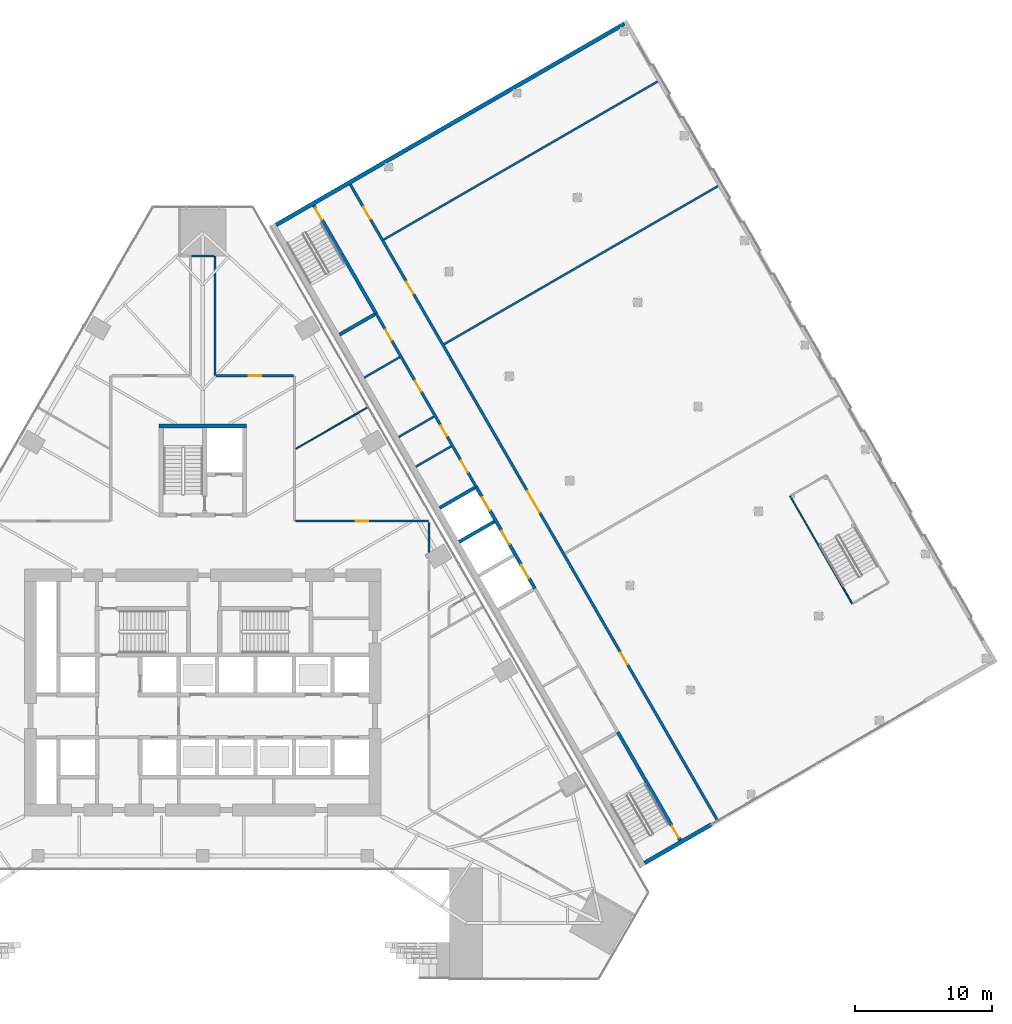
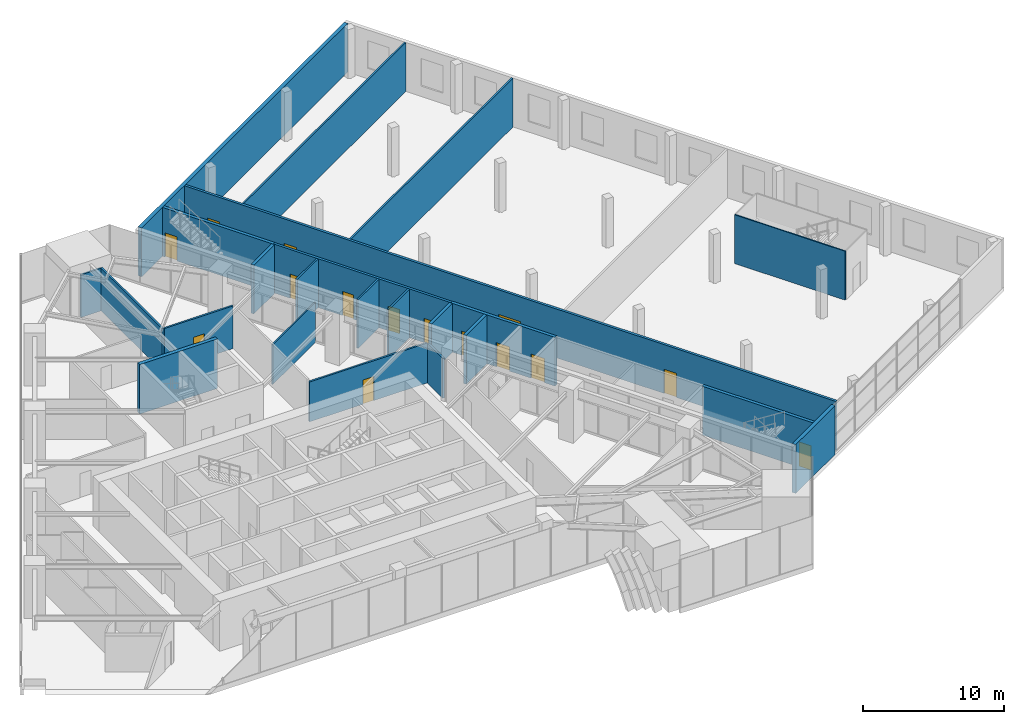
# One storey, part 20 of 29: 23 walls, 15 doors, 15 openings.
"""IFC4 building model written with IfcOpenShell, lengths in metres."""

import ifcopenshell
import ifcopenshell.guid

model = None  # the IFC model being written
_history = None  # IfcOwnerHistory: only IFC2X3 demands one
_inside = {}  # id of a spatial element -> (the spatial element, [elements in it])
_under = {}  # id of a project, library or spatial element -> (it, [spatial elements below it])
_declared = {}  # id of a project -> (the project, [libraries it declares])
_typed = {}  # id of a type object -> (the type object, [elements of that type])
_made_of = {}  # id of a material, layer set ... -> (it, [elements and type objects made of it])


def new_model(schema):
    """Start an empty IFC model of exactly this schema.

    Asked for "IFC4X3", IfcOpenShell would pick the latest addendum, in which some entities
    have other attributes; the version numbers below select the first issue.
    IFC2X3 requires an IfcOwnerHistory on every rooted entity: one is made here for all.
    """
    global model, _history
    if schema == "IFC4X3":
        model = ifcopenshell.file(schema_version=(4, 3, 0, 0))
    else:
        model = ifcopenshell.file(schema=schema)
    _inside.clear()
    _under.clear()
    _declared.clear()
    _typed.clear()
    _made_of.clear()
    _history = None
    if model.schema == "IFC2X3":
        org = make("IfcOrganization", Name="unknown")
        user = make(
            "IfcPersonAndOrganization",
            ThePerson=make("IfcPerson", FamilyName="unknown"),
            TheOrganization=org,
        )
        app = make(
            "IfcApplication",
            ApplicationDeveloper=org,
            Version="unknown",
            ApplicationFullName="unknown",
            ApplicationIdentifier="unknown",
        )
        _history = make(
            "IfcOwnerHistory",
            OwningUser=user,
            OwningApplication=app,
            ChangeAction="ADDED",
            CreationDate=0,
        )
    return model


def make(cls, **values):
    """One entity of the class cls with the attributes given. An attribute that is None is left unset."""
    return model.create_entity(
        cls, **{name: value for name, value in values.items() if value is not None}
    )


def rooted(cls, **values):
    """An entity with a GlobalId (a new one), such as an element, a storey or a relation."""
    return make(cls, GlobalId=ifcopenshell.guid.new(), OwnerHistory=_history, **values)


def si_unit(unit_type, name, prefix=None):
    """IfcSIUnit, for example si_unit("LENGTHUNIT", "METRE", prefix="MILLI")."""
    return make("IfcSIUnit", UnitType=unit_type, Prefix=prefix, Name=name)


def assignment(units):
    """IfcUnitAssignment: the units of a project."""
    return None if units is None else make("IfcUnitAssignment", Units=units)


def point(xyz):
    """IfcCartesianPoint."""
    return None if xyz is None else make("IfcCartesianPoint", Coordinates=xyz)


def direction(xyz):
    """IfcDirection."""
    return None if xyz is None else make("IfcDirection", DirectionRatios=xyz)


def frame(location, z_axis=None, x_axis=None):
    """IfcAxis2Placement3D, a coordinate frame: its origin and axes. An axis left out is left unset."""
    return make(
        "IfcAxis2Placement3D",
        Location=point(location),
        Axis=direction(z_axis),
        RefDirection=direction(x_axis),
    )


def frame_2d(location, x_axis=None):
    """IfcAxis2Placement2D, a coordinate frame in the plane: its origin and x axis."""
    return make(
        "IfcAxis2Placement2D", Location=point(location), RefDirection=direction(x_axis)
    )


def origin():
    """The frame at (0, 0, 0) with its axes left unset."""
    return frame((0.0, 0.0, 0.0))


def place(relative_to, where):
    """IfcLocalPlacement: puts the frame where relative to a parent placement (None: the world)."""
    return make(
        "IfcLocalPlacement", PlacementRelTo=relative_to, RelativePlacement=where
    )


def context(
    kind, dimensions, precision=None, world=None, true_north=None, identifier=None
):
    """IfcGeometricRepresentationContext, for example the 3D "Model" context."""
    return make(
        "IfcGeometricRepresentationContext",
        ContextIdentifier=identifier,
        ContextType=kind,
        CoordinateSpaceDimension=dimensions,
        Precision=precision,
        WorldCoordinateSystem=world,
        TrueNorth=true_north,
    )


def subcontext(parent, identifier, kind, view, scale=None):
    """IfcGeometricRepresentationSubContext, for example "Body" below "Model"."""
    return make(
        "IfcGeometricRepresentationSubContext",
        ContextIdentifier=identifier,
        ContextType=kind,
        ParentContext=parent,
        TargetScale=scale,
        TargetView=view,
    )


def project(units=None, contexts=None):
    """IfcProject with its units and contexts."""
    return rooted(
        "IfcProject",
        Name="project",
        RepresentationContexts=contexts,
        UnitsInContext=assignment(units),
    )


def spatial(cls, under=None, at=None, **own):
    """A site, building, storey or space (cls), placed at a placement, below another one or the project."""
    s = rooted(cls, ObjectPlacement=at, **own)
    if under is not None:
        _under.setdefault(under.id(), (under, []))[1].append(s)
    return s


def profile(cls, at=None, kind="AREA", **sizes):
    """A parametric profile (cls). Its sizes go by their IFC names, for example OverallWidth=200.0."""
    return make(cls, ProfileType=kind, Position=at, **sizes)


def rectangle(**sizes):
    """IfcRectangleProfileDef."""
    return profile("IfcRectangleProfileDef", **sizes)


def extrude(swept, where, along, depth):
    """IfcExtrudedAreaSolid: the profile swept, set in the frame where, extruded along a direction by depth."""
    return make(
        "IfcExtrudedAreaSolid",
        SweptArea=swept,
        Position=where,
        ExtrudedDirection=direction(along),
        Depth=depth,
    )


def shape(context_of_items, identifier, shape_type, items):
    """IfcShapeRepresentation: the items that make up one representation, for example the "Body"."""
    return make(
        "IfcShapeRepresentation",
        ContextOfItems=context_of_items,
        RepresentationIdentifier=identifier,
        RepresentationType=shape_type,
        Items=items,
    )


def material(Name=None, Category=None):
    """IfcMaterial."""
    return make("IfcMaterial", Name=Name, Category=Category)


def layer(
    of_material, thickness, ventilated=None, Name=None, Category=None, Priority=None
):
    """IfcMaterialLayer: one layer of a wall or slab, of a material (None: an air gap)."""
    return make(
        "IfcMaterialLayer",
        Material=of_material,
        LayerThickness=thickness,
        IsVentilated=ventilated,
        Name=Name,
        Category=Category,
        Priority=Priority,
    )


def layer_set(layers, Name=None):
    """IfcMaterialLayerSet."""
    return make("IfcMaterialLayerSet", MaterialLayers=layers, LayerSetName=Name)


def made_of(thing, what):
    """Note that an element or type object is made of a material, layer set ...; save() writes the relation."""
    if what is not None:
        _made_of.setdefault(what.id(), (what, []))[1].append(thing)
    return thing


def type_object(cls, material=None, **own):
    """A type object (cls), such as IfcWallType, which elements share."""
    return made_of(rooted(cls, **own), material)


def element(
    cls,
    number,
    at=None,
    inside=None,
    cuts=None,
    type_object=None,
    material=None,
    context=None,
    identifier="Body",
    shape_type=None,
    held_by="IfcProductDefinitionShape",
    body=None,
    shapes=None,
    **own,
):
    """One element of the class cls, such as IfcWall. Its Tag is "e" and its number.

    at: its placement. inside: the storey or other place that contains it. cuts: it is an
    opening in that element (IfcRelVoidsElement). A single representation is given by context,
    identifier, shape_type and body (its items); several are given by shapes. held_by: the class
    of the entity that holds the representations. save() writes the other relations.
    """
    e = rooted(cls, Tag="e%d" % number, ObjectPlacement=at, **own)
    if body is not None:
        shapes = [shape(context, identifier, shape_type, body)]
    if shapes is not None:
        e.Representation = make(held_by, Representations=shapes)
    if inside is not None:
        _inside.setdefault(inside.id(), (inside, []))[1].append(e)
    if cuts is not None:
        rooted(
            "IfcRelVoidsElement", RelatingBuildingElement=cuts, RelatedOpeningElement=e
        )
    if type_object is not None:
        _typed.setdefault(type_object.id(), (type_object, []))[1].append(e)
    return made_of(e, material)


def fill(opening, filler):
    """IfcRelFillsElement: the door or window that sits in an opening."""
    return rooted(
        "IfcRelFillsElement",
        RelatingOpeningElement=opening,
        RelatedBuildingElement=filler,
    )


def aggregate(whole, parts):
    """IfcRelAggregates: a whole, such as a stair, and the parts it consists of."""
    return rooted("IfcRelAggregates", RelatingObject=whole, RelatedObjects=parts)


def save(model, path):
    """Write the relations noted so far, then the file.

    IfcRelAggregates (storeys below a building ...), IfcRelContainedInSpatialStructure (elements
    in a storey), IfcRelDefinesByType, IfcRelAssociatesMaterial and IfcRelDeclares: one each for
    every whole, place, type object, material and project.
    """
    for whole, parts in _under.values():
        aggregate(whole, parts)
    for where, things in _inside.values():
        rooted(
            "IfcRelContainedInSpatialStructure",
            RelatedElements=things,
            RelatingStructure=where,
        )
    for kind, things in _typed.values():
        rooted("IfcRelDefinesByType", RelatedObjects=things, RelatingType=kind)
    for what, things in _made_of.values():
        rooted("IfcRelAssociatesMaterial", RelatedObjects=things, RelatingMaterial=what)
    for by, libraries in _declared.values():
        rooted("IfcRelDeclares", RelatingContext=by, RelatedDefinitions=libraries)
    model.write(path)


model = new_model("IFC4")

# Units and contexts
model_context = context("Model", 3, precision=1e-05, world=origin(), true_north=direction((0.0, 1.0)))
body_context = subcontext(model_context, "Body", "Model", "MODEL_VIEW")
ifc_project = project(units=[si_unit("LENGTHUNIT", "METRE"), si_unit("AREAUNIT", "SQUARE_METRE"), si_unit("VOLUMEUNIT", "CUBIC_METRE"), si_unit("PLANEANGLEUNIT", "RADIAN"), si_unit("MASSUNIT", "GRAM", prefix="KILO")], contexts=[model_context])

# Site, building, storey
site_placement = place(None, origin())
site = spatial("IfcSite", under=ifc_project, at=site_placement, CompositionType="ELEMENT")
building_placement = place(site_placement, origin())
building = spatial("IfcBuilding", under=site, at=building_placement, Name="Firuza Gate Tower and Library", CompositionType="ELEMENT")
storey_placement = place(building_placement, frame((0.0, 0.0, 8.0)))
storey = spatial("IfcBuildingStorey", under=building, at=storey_placement, Name="L01", CompositionType="ELEMENT", Elevation=8.0)

# Wall
ifc_material_1 = material(Name="Concrete C80/95", Category="concrete")
ifc_layer_1 = layer(ifc_material_1, 0.300048828125)
ifc_layer_set_1 = layer_set([ifc_layer_1], Name="Core wall 300 C80/95")
wall_type_1 = type_object("IfcWallType", Name="Core wall 300 C80/95", PredefinedType="SHEAR", material=ifc_layer_set_1)
wall_1_placement = place(storey_placement, frame((71.800048828125, 94.449951171875, 0.0), z_axis=(0.0, 0.0, 1.0), x_axis=(1.0, 0.0, 0.0)))
element("IfcWall", 1, at=wall_1_placement, inside=storey, type_object=wall_type_1, Name="Core wall L01 35", PredefinedType="SHEAR", context=body_context, shape_type="SweptSolid", body=[
    extrude(rectangle(XDim=6.39990234375, YDim=0.300048828125, at=frame_2d((3.199951171875, 0.0))), origin(), (0.0, 0.0, 1.0), 4.300048828125),
])

# Wall, opening, door
ifc_material_2 = material(Name="Gypsum board partition")
ifc_layer_2 = layer(ifc_material_2, 0.14990234375)
ifc_layer_set_2 = layer_set([ifc_layer_2], Name="Corridor wall 150 double board on steel studs")
wall_type_2 = type_object("IfcWallType", Name="Corridor wall 150 double board on steel studs", PredefinedType="PARTITIONING", material=ifc_layer_set_2)
wall_2_placement = place(storey_placement, frame((81.77490234375, 87.5, 0.0), z_axis=(0.0, 0.0, 1.0), x_axis=(1.0, 0.0, 0.0)))
wall_2 = element("IfcWall", 2, at=wall_2_placement, inside=storey, type_object=wall_type_2, Name="f:L01:w001", PredefinedType="PARTITIONING", context=body_context, shape_type="SweptSolid", body=[
    extrude(rectangle(XDim=9.661865234375, YDim=0.14990234375, at=frame_2d((4.8310546875, 0.0))), origin(), (0.0, 0.0, 1.0), 3.465087890625),
])
opening_1_placement = place(wall_2_placement, frame((4.380859375, 0.0, 0.0)))
opening_1 = element("IfcOpeningElement", 3, at=opening_1_placement, cuts=wall_2, Name="Opening L01-02", PredefinedType="OPENING", context=body_context, shape_type="SweptSolid", body=[
    extrude(rectangle(XDim=0.89990234375, YDim=2.10009765625, at=frame_2d((0.449951171875, 1.050048828125))), frame((0.0, 0.0849609375, 0.0), z_axis=(0.0, -1.0, 0.0), x_axis=(1.0, 0.0, 0.0)), (0.0, 0.0, 1.0), 0.169921875),
])
ifc_material_3 = material(Name="Steel door and timber leaf", Category="steel")
door_type_1 = type_object("IfcDoorType", Name="Fire door 900 x 2100 steel frame, timber leaf", OperationType="NOTDEFINED", PredefinedType="DOOR", material=ifc_material_3)
door_1_placement = place(opening_1_placement, origin())
door_1 = element("IfcDoor", 4, at=door_1_placement, inside=storey, type_object=door_type_1, Name="f:L01:d002", OperationType="SINGLE_SWING_LEFT", OverallHeight=2.10009765625, OverallWidth=0.89990234375, PredefinedType="DOOR", context=body_context, shape_type="SweptSolid", body=[
    extrude(rectangle(XDim=0.89990234375, YDim=2.10009765625, at=frame_2d((0.449951171875, 1.050048828125))), frame((0.0, 0.02490234375, 0.0), z_axis=(0.0, -1.0, 0.0), x_axis=(1.0, 0.0, 0.0)), (0.0, 0.0, 1.0), 0.050048828125),
])
fill(opening_1, door_1)

wall_3_placement = place(storey_placement, frame((75.97509765625, 98.10009765625, 0.0), z_axis=(0.0, 0.0, 1.0), x_axis=(1.0, 0.0, 0.0)))
wall_3 = element("IfcWall", 5, at=wall_3_placement, inside=storey, type_object=wall_type_2, Name="f:L01:w003", PredefinedType="PARTITIONING", context=body_context, shape_type="SweptSolid", body=[
    extrude(rectangle(XDim=5.6494140625, YDim=0.14990234375, at=frame_2d((2.82470703125, 0.0))), origin(), (0.0, 0.0, 1.0), 3.699951171875),
])
opening_2_placement = place(wall_3_placement, frame((2.374755859375, 0.0, 0.0)))
opening_2 = element("IfcOpeningElement", 6, at=opening_2_placement, cuts=wall_3, Name="Opening L01-04", PredefinedType="OPENING", context=body_context, shape_type="SweptSolid", body=[
    extrude(rectangle(XDim=0.89990234375, YDim=2.10009765625, at=frame_2d((0.449951171875, 1.050048828125))), frame((0.0, 0.0849609375, 0.0), z_axis=(0.0, -1.0, 0.0), x_axis=(1.0, 0.0, 0.0)), (0.0, 0.0, 1.0), 0.169921875),
])
door_2_placement = place(opening_2_placement, origin())
door_2 = element("IfcDoor", 7, at=door_2_placement, inside=storey, type_object=door_type_1, Name="f:L01:d004", OperationType="SINGLE_SWING_RIGHT", OverallHeight=2.10009765625, OverallWidth=0.89990234375, PredefinedType="DOOR", context=body_context, shape_type="SweptSolid", body=[
    extrude(rectangle(XDim=0.89990234375, YDim=2.10009765625, at=frame_2d((0.449951171875, 1.050048828125))), frame((0.0, 0.02490234375, 0.0), z_axis=(0.0, -1.0, 0.0), x_axis=(1.0, 0.0, 0.0)), (0.0, 0.0, 1.0), 0.050048828125),
])
fill(opening_2, door_2)

# Walls
wall_4_placement = place(storey_placement, frame((91.5, 85.219482421875, 0.0), z_axis=(0.0, 0.0, 1.0), x_axis=(0.0, 1.0, 0.0)))
element("IfcWall", 8, at=wall_4_placement, inside=storey, type_object=wall_type_2, Name="f:L01:w019", PredefinedType="PARTITIONING", context=body_context, shape_type="SweptSolid", body=[
    extrude(rectangle(XDim=2.169921875, YDim=0.14990234375, at=frame_2d((1.0849609375, 0.0))), origin(), (0.0, 0.0, 1.0), 3.465087890625),
])
wall_5_placement = place(storey_placement, frame((75.89990234375, 98.10009765625, 0.0), z_axis=(0.0, 0.0, 1.0), x_axis=(0.0, 1.0, 0.0)))
element("IfcWall", 9, at=wall_5_placement, inside=storey, type_object=wall_type_2, Name="f:L01:w021", PredefinedType="PARTITIONING", context=body_context, shape_type="SweptSolid", body=[
    extrude(rectangle(XDim=8.733154296875, YDim=0.14990234375, at=frame_2d((4.36669921875, 0.0))), origin(), (0.0, 0.0, 1.0), 3.699951171875),
])
wall_6_placement = place(storey_placement, frame((74.175048828125, 106.833984375, 0.0), z_axis=(0.0, 0.0, 1.0), x_axis=(1.0, 0.0, 0.0)))
element("IfcWall", 10, at=wall_6_placement, inside=storey, type_object=wall_type_2, Name="f:L01:w040", PredefinedType="PARTITIONING", context=body_context, shape_type="SweptSolid", body=[
    extrude(rectangle(XDim=1.6494140625, YDim=0.14990234375, at=frame_2d((0.82470703125, 0.0))), origin(), (0.0, 0.0, 1.0), 3.697021484375),
])

# Wall, openings, doors
ifc_material_4 = material(Name="Masonry block", Category="masonry")
ifc_layer_3 = layer(ifc_material_4, 0.199951171875)
ifc_layer_set_3 = layer_set([ifc_layer_3], Name="LIB CORRIDOR WALL 200")
wall_type_3 = type_object("IfcWallType", Name="LIB CORRIDOR WALL 200", PredefinedType="PARTITIONING", material=ifc_layer_set_3)
wall_7_placement = place(storey_placement, frame((94.929931640625, 89.99951171875, 0.0), z_axis=(0.0, 0.0, 1.0), x_axis=(-0.499997667785, 0.866026750285, 0.0)))
wall_7 = element("IfcWall", 11, at=wall_7_placement, inside=storey, type_object=wall_type_3, Name="L01 corr wall 7", PredefinedType="PARTITIONING", context=body_context, shape_type="SweptSolid", body=[
    extrude(rectangle(XDim=14.58984375, YDim=0.199951171875, at=frame_2d((7.294921875, 0.0))), origin(), (0.0, 0.0, 1.0), 4.239990234375),
])
opening_3_placement = place(wall_7_placement, frame((1.235107421875, 0.0, 0.0)))
opening_3 = element("IfcOpeningElement", 12, at=opening_3_placement, cuts=wall_7, Name="Opening LIB-D2-001", PredefinedType="OPENING", context=body_context, shape_type="SweptSolid", body=[
    extrude(rectangle(XDim=1.0, YDim=2.10009765625, at=frame_2d((0.5, 1.050048828125))), frame((0.0, 0.10986328125, 0.0), z_axis=(0.0, -1.0, 0.0), x_axis=(1.0, 0.0, 0.0)), (0.0, 0.0, 1.0), 0.219970703125),
])
opening_4_placement = place(wall_7_placement, frame((4.27490234375, 0.0, 0.0)))
opening_4 = element("IfcOpeningElement", 13, at=opening_4_placement, cuts=wall_7, Name="Opening LIB-D1-003", PredefinedType="OPENING", context=body_context, shape_type="SweptSolid", body=[
    extrude(rectangle(XDim=0.89990234375, YDim=2.10009765625, at=frame_2d((0.449951171875, 1.050048828125))), frame((0.0, 0.10986328125, 0.0), z_axis=(0.0, -1.0, 0.0), x_axis=(1.0, 0.0, 0.0)), (0.0, 0.0, 1.0), 0.219970703125),
])
opening_5_placement = place(wall_7_placement, frame((8.02490234375, 0.0, 0.0)))
opening_5 = element("IfcOpeningElement", 14, at=opening_5_placement, cuts=wall_7, Name="Opening LIB-D1-004", PredefinedType="OPENING", context=body_context, shape_type="SweptSolid", body=[
    extrude(rectangle(XDim=0.89990234375, YDim=2.10009765625, at=frame_2d((0.449951171875, 1.050048828125))), frame((0.0, 0.10986328125, 0.0), z_axis=(0.0, -1.0, 0.0), x_axis=(1.0, 0.0, 0.0)), (0.0, 0.0, 1.0), 0.219970703125),
])
opening_6_placement = place(wall_7_placement, frame((12.324951171875, 0.0, 0.0)))
opening_6 = element("IfcOpeningElement", 15, at=opening_6_placement, cuts=wall_7, Name="Opening LIB-D1-005", PredefinedType="OPENING", context=body_context, shape_type="SweptSolid", body=[
    extrude(rectangle(XDim=0.89990234375, YDim=2.10009765625, at=frame_2d((0.449951171875, 1.050048828125))), frame((0.0, 0.10986328125, 0.0), z_axis=(0.0, -1.0, 0.0), x_axis=(1.0, 0.0, 0.0)), (0.0, 0.0, 1.0), 0.219970703125),
])
ifc_material_5 = material(Name="Timber door leaf", Category="wood")
door_type_2 = type_object("IfcDoorType", Name="LIB DOOR 1000", OperationType="NOTDEFINED", PredefinedType="DOOR", material=ifc_material_5)
door_3_placement = place(opening_3_placement, origin())
door_3 = element("IfcDoor", 16, at=door_3_placement, inside=storey, type_object=door_type_2, Name="L01 door 5", OperationType="SINGLE_SWING_LEFT", OverallHeight=2.10009765625, OverallWidth=1.0, PredefinedType="DOOR", context=body_context, shape_type="SweptSolid", body=[
    extrude(rectangle(XDim=1.0, YDim=2.10009765625, at=frame_2d((0.5, 1.050048828125))), frame((0.0, 0.02490234375, 0.0), z_axis=(0.0, -1.0, 0.0), x_axis=(1.0, 0.0, 0.0)), (0.0, 0.0, 1.0), 0.050048828125),
])
fill(opening_3, door_3)
ifc_material_6 = material(Name="Timber door leaf", Category="wood")
door_type_3 = type_object("IfcDoorType", Name="LIB DOOR 900", OperationType="NOTDEFINED", PredefinedType="DOOR", material=ifc_material_6)
door_4_placement = place(opening_4_placement, origin())
door_4 = element("IfcDoor", 17, at=door_4_placement, inside=storey, type_object=door_type_3, Name="L01 door 6", OperationType="SINGLE_SWING_RIGHT", OverallHeight=2.10009765625, OverallWidth=0.89990234375, PredefinedType="DOOR", context=body_context, shape_type="SweptSolid", body=[
    extrude(rectangle(XDim=0.89990234375, YDim=2.10009765625, at=frame_2d((0.449951171875, 1.050048828125))), frame((0.0, 0.02490234375, 0.0), z_axis=(0.0, -1.0, 0.0), x_axis=(1.0, 0.0, 0.0)), (0.0, 0.0, 1.0), 0.050048828125),
])
fill(opening_4, door_4)
door_5_placement = place(opening_5_placement, origin())
door_5 = element("IfcDoor", 18, at=door_5_placement, inside=storey, type_object=door_type_3, Name="L01 door 10", OperationType="SINGLE_SWING_RIGHT", OverallHeight=2.10009765625, OverallWidth=0.89990234375, PredefinedType="DOOR", context=body_context, shape_type="SweptSolid", body=[
    extrude(rectangle(XDim=0.89990234375, YDim=2.10009765625, at=frame_2d((0.449951171875, 1.050048828125))), frame((0.0, 0.02490234375, 0.0), z_axis=(0.0, -1.0, 0.0), x_axis=(1.0, 0.0, 0.0)), (0.0, 0.0, 1.0), 0.050048828125),
])
fill(opening_5, door_5)
door_6_placement = place(opening_6_placement, origin())
door_6 = element("IfcDoor", 19, at=door_6_placement, inside=storey, type_object=door_type_3, Name="L01 door 11", OperationType="SINGLE_SWING_LEFT", OverallHeight=2.10009765625, OverallWidth=0.89990234375, PredefinedType="DOOR", context=body_context, shape_type="SweptSolid", body=[
    extrude(rectangle(XDim=0.89990234375, YDim=2.10009765625, at=frame_2d((0.449951171875, 1.050048828125))), frame((0.0, 0.02490234375, 0.0), z_axis=(0.0, -1.0, 0.0), x_axis=(1.0, 0.0, 0.0)), (0.0, 0.0, 1.0), 0.050048828125),
])
fill(opening_6, door_6)

wall_8_placement = place(storey_placement, frame((112.49560546875, 65.72509765625, 0.0), z_axis=(0.0, 0.0, 1.0), x_axis=(-0.499998673217, 0.866026169802, 0.0)))
wall_8 = element("IfcWall", 20, at=wall_8_placement, inside=storey, type_object=wall_type_3, Name="L01 corr wall 16", PredefinedType="PARTITIONING", context=body_context, shape_type="SweptSolid", body=[
    extrude(rectangle(XDim=53.480224609375, YDim=0.199951171875, at=frame_2d((26.740234375, 0.0))), origin(), (0.0, 0.0, 1.0), 4.239990234375),
])
opening_7_placement = place(wall_8_placement, frame((13.080078125, 0.0, 0.0)))
opening_7 = element("IfcOpeningElement", 21, at=opening_7_placement, cuts=wall_8, Name="Opening LIB-D2-003", PredefinedType="OPENING", context=body_context, shape_type="SweptSolid", body=[
    extrude(rectangle(XDim=1.0, YDim=2.10009765625, at=frame_2d((0.5, 1.050048828125))), frame((0.0, 0.10986328125, 0.0), z_axis=(0.0, -1.0, 0.0), x_axis=(1.0, 0.0, 0.0)), (0.0, 0.0, 1.0), 0.219970703125),
])
opening_8_placement = place(wall_8_placement, frame((25.8798828125, 0.0, 0.0)))
opening_8 = element("IfcOpeningElement", 22, at=opening_8_placement, cuts=wall_8, Name="Opening LIB-D3", PredefinedType="OPENING", context=body_context, shape_type="SweptSolid", body=[
    extrude(rectangle(XDim=1.800048828125, YDim=2.10009765625, at=frame_2d((0.89990234375, 1.050048828125))), frame((0.0, 0.10986328125, 0.0), z_axis=(0.0, -1.0, 0.0), x_axis=(1.0, 0.0, 0.0)), (0.0, 0.0, 1.0), 0.219970703125),
])
opening_9_placement = place(wall_8_placement, frame((50.580078125, 0.0, 0.0)))
opening_9 = element("IfcOpeningElement", 23, at=opening_9_placement, cuts=wall_8, Name="Opening LIB-D2-004", PredefinedType="OPENING", context=body_context, shape_type="SweptSolid", body=[
    extrude(rectangle(XDim=1.0, YDim=2.10009765625, at=frame_2d((0.5, 1.050048828125))), frame((0.0, 0.10986328125, 0.0), z_axis=(0.0, -1.0, 0.0), x_axis=(1.0, 0.0, 0.0)), (0.0, 0.0, 1.0), 0.219970703125),
])
opening_10_placement = place(wall_8_placement, frame((44.280029296875, 0.0, 0.0)))
opening_10 = element("IfcOpeningElement", 24, at=opening_10_placement, cuts=wall_8, Name="Opening LIB-D2-005", PredefinedType="OPENING", context=body_context, shape_type="SweptSolid", body=[
    extrude(rectangle(XDim=1.0, YDim=2.10009765625, at=frame_2d((0.5, 1.050048828125))), frame((0.0, 0.10986328125, 0.0), z_axis=(0.0, -1.0, 0.0), x_axis=(1.0, 0.0, 0.0)), (0.0, 0.0, 1.0), 0.219970703125),
])
door_7_placement = place(opening_7_placement, origin())
door_7 = element("IfcDoor", 25, at=door_7_placement, inside=storey, type_object=door_type_2, Name="L01 door 13", OperationType="SINGLE_SWING_LEFT", OverallHeight=2.10009765625, OverallWidth=1.0, PredefinedType="DOOR", context=body_context, shape_type="SweptSolid", body=[
    extrude(rectangle(XDim=1.0, YDim=2.10009765625, at=frame_2d((0.5, 1.050048828125))), frame((0.0, 0.02490234375, 0.0), z_axis=(0.0, -1.0, 0.0), x_axis=(1.0, 0.0, 0.0)), (0.0, 0.0, 1.0), 0.050048828125),
])
fill(opening_7, door_7)
door_8_placement = place(opening_9_placement, origin())
door_8 = element("IfcDoor", 26, at=door_8_placement, inside=storey, type_object=door_type_2, Name="L01 door 15", OperationType="SINGLE_SWING_LEFT", OverallHeight=2.10009765625, OverallWidth=1.0, PredefinedType="DOOR", context=body_context, shape_type="SweptSolid", body=[
    extrude(rectangle(XDim=1.0, YDim=2.10009765625, at=frame_2d((0.5, 1.050048828125))), frame((0.0, 0.02490234375, 0.0), z_axis=(0.0, -1.0, 0.0), x_axis=(1.0, 0.0, 0.0)), (0.0, 0.0, 1.0), 0.050048828125),
])
fill(opening_9, door_8)
door_9_placement = place(opening_10_placement, origin())
door_9 = element("IfcDoor", 27, at=door_9_placement, inside=storey, type_object=door_type_2, Name="L01 door 16", OperationType="SINGLE_SWING_RIGHT", OverallHeight=2.10009765625, OverallWidth=1.0, PredefinedType="DOOR", context=body_context, shape_type="SweptSolid", body=[
    extrude(rectangle(XDim=1.0, YDim=2.10009765625, at=frame_2d((0.5, 1.050048828125))), frame((0.0, 0.02490234375, 0.0), z_axis=(0.0, -1.0, 0.0), x_axis=(1.0, 0.0, 0.0)), (0.0, 0.0, 1.0), 0.050048828125),
])
fill(opening_10, door_9)
ifc_material_7 = material(Name="Timber door leaf", Category="wood")
door_type_4 = type_object("IfcDoorType", Name="LIB DOUBLE DOOR 1800", OperationType="NOTDEFINED", PredefinedType="DOOR", material=ifc_material_7)
door_10_placement = place(opening_8_placement, origin())
door_10 = element("IfcDoor", 28, at=door_10_placement, inside=storey, type_object=door_type_4, Name="L01 door 14", OperationType="DOUBLE_DOOR_SINGLE_SWING", OverallHeight=2.10009765625, OverallWidth=1.800048828125, PredefinedType="DOOR", context=body_context, shape_type="SweptSolid", body=[
    extrude(rectangle(XDim=1.800048828125, YDim=2.10009765625, at=frame_2d((0.89990234375, 1.050048828125))), frame((0.0, 0.02490234375, 0.0), z_axis=(0.0, -1.0, 0.0), x_axis=(1.0, 0.0, 0.0)), (0.0, 0.0, 1.0), 0.050048828125),
])
fill(opening_8, door_10)

# Walls
ifc_material_8 = material(Name="Concrete C30/37", Category="concrete")
ifc_layer_4 = layer(ifc_material_8, 0.300048828125)
ifc_layer_set_4 = layer_set([ifc_layer_4], Name="LIB EXTERNAL WALL 300")
wall_type_4 = type_object("IfcWallType", Name="LIB EXTERNAL WALL 300", PredefinedType="SOLIDWALL", material=ifc_layer_set_4)
wall_9_placement = place(storey_placement, frame((107.204345703125, 62.589599609375, 0.0), z_axis=(0.0, 0.0, 1.0), x_axis=(0.866045472092, 0.499965239061, 0.0)))
element("IfcWall", 29, at=wall_9_placement, inside=storey, type_object=wall_type_4, Name="L01 south wall S1", PredefinedType="SOLIDWALL", context=body_context, shape_type="SweptSolid", body=[
    extrude(rectangle(XDim=5.60009765625, YDim=0.300048828125, at=frame_2d((2.800048828125, 0.0))), origin(), (0.0, 0.0, 1.0), 4.239990234375),
])
wall_10_placement = place(storey_placement, frame((80.3544921875, 109.09521484375, 0.0), z_axis=(0.0, 0.0, 1.0), x_axis=(0.866026568746, 0.499997982221, 0.0)))
element("IfcWall", 30, at=wall_10_placement, inside=storey, type_object=wall_type_4, Name="L01 north wall", PredefinedType="SOLIDWALL", context=body_context, shape_type="SweptSolid", body=[
    extrude(rectangle(XDim=29.2998046875, YDim=0.300048828125, at=frame_2d((14.64990234375, 0.0))), origin(), (0.0, 0.0, 1.0), 4.239990234375),
])
ifc_material_9 = material(Name="Laminated glass", Category="glass")
ifc_layer_5 = layer(ifc_material_9, 0.10009765625)
ifc_layer_set_5 = layer_set([ifc_layer_5], Name="LIB GLAZED STAIR SCREEN 100")
wall_type_5 = type_object("IfcWallType", Name="LIB GLAZED STAIR SCREEN 100", PredefinedType="PARTITIONING", material=ifc_layer_set_5)
wall_11_placement = place(storey_placement, frame((122.333251953125, 81.485595703125, 0.0), z_axis=(0.0, 0.0, 1.0), x_axis=(-0.500002365587, 0.866024038008, 0.0)))
element("IfcWall", 31, at=wall_11_placement, inside=storey, type_object=wall_type_5, Name="L01 glass wall 18", PredefinedType="PARTITIONING", context=body_context, shape_type="SweptSolid", body=[
    extrude(rectangle(XDim=9.06005859375, YDim=0.10009765625, at=frame_2d((4.530029296875, 0.0))), origin(), (0.0, 0.0, 1.0), 4.239990234375),
])
ifc_material_10 = material(Name="Gypsum board on steel studs", Category="steel")
ifc_layer_6 = layer(ifc_material_10, 0.14990234375)
ifc_layer_set_6 = layer_set([ifc_layer_6], Name="LIB PARTITION 150")
wall_type_6 = type_object("IfcWallType", Name="LIB PARTITION 150", PredefinedType="PARTITIONING", material=ifc_layer_set_6)
for number, where, z_axis, x_axis, name in (
    (32, (90.529296875, 91.471435546875, 0.0), (0.0, 0.0, 1.0), (0.866017493347, 0.500013701029, 0.0), "L01 part wall 12"),
    (33, (89.279296875, 93.636474609375, 0.0), (0.0, 0.0, 1.0), (0.866017493347, 0.500013701029, 0.0), "L01 part wall 13"),
):
    element("IfcWall", number, at=place(storey_placement, frame(where, z_axis=z_axis, x_axis=x_axis)), inside=storey, type_object=wall_type_6, Name=name, PredefinedType="PARTITIONING", context=body_context, shape_type="SweptSolid", body=[
        extrude(rectangle(XDim=2.97509765625, YDim=0.14990234375, at=frame_2d((1.487548828125, 0.0))), origin(), (0.0, 0.0, 1.0), 4.239990234375),
    ])
wall_12_placement = place(storey_placement, frame((86.779296875, 97.966796875, 0.0), z_axis=(0.0, 0.0, 1.0), x_axis=(0.866053027861, 0.499952150643, 0.0)))
element("IfcWall", 34, at=wall_12_placement, inside=storey, type_object=wall_type_6, Name="L01 part wall 14", PredefinedType="PARTITIONING", context=body_context, shape_type="SweptSolid", body=[
    extrude(rectangle(XDim=2.974853515625, YDim=0.14990234375, at=frame_2d((1.4873046875, 0.0))), origin(), (0.0, 0.0, 1.0), 4.239990234375),
])
for number, where, z_axis, x_axis, name in (
    (35, (92.592041015625, 100.398681640625, 0.0), (0.0, 0.0, 1.0), (0.866022961126, 0.500004230785, 0.0), "L01 part wall 22"),
    (36, (88.192138671875, 108.02001953125, 0.0), (0.0, 0.0, 1.0), (0.866027547497, 0.499996286962, 0.0), "L01 part wall 23"),
):
    element("IfcWall", number, at=place(storey_placement, frame(where, z_axis=z_axis, x_axis=x_axis)), inside=storey, type_object=wall_type_6, Name=name, PredefinedType="PARTITIONING", context=body_context, shape_type="SweptSolid", body=[
        extrude(rectangle(XDim=23.050048828125, YDim=0.14990234375, at=frame_2d((11.52490234375, 0.0))), origin(), (0.0, 0.0, 1.0), 4.239990234375),
    ])

# Wall, opening, door
ifc_material_11 = material(Name="Concrete C40/50", Category="concrete")
ifc_layer_7 = layer(ifc_material_11, 0.25)
ifc_layer_set_7 = layer_set([ifc_layer_7], Name="LIB SHAFT WALL 250")
wall_type_7 = type_object("IfcWallType", Name="LIB SHAFT WALL 250", PredefinedType="SOLIDWALL", material=ifc_layer_set_7)
wall_13_placement = place(storey_placement, frame((109.79248046875, 64.2568359375, 0.0), z_axis=(0.0, 0.0, 1.0), x_axis=(-0.499994616197, 0.866028512102, 0.0)))
wall_13 = element("IfcWall", 37, at=wall_13_placement, inside=storey, type_object=wall_type_7, Name="L01 shaft wall 2", PredefinedType="SOLIDWALL", context=body_context, shape_type="SweptSolid", body=[
    extrude(rectangle(XDim=9.0849609375, YDim=0.25, at=frame_2d((4.54248046875, 0.0))), origin(), (0.0, 0.0, 1.0), 4.239990234375),
])
opening_11_placement = place(wall_13_placement, frame((0.199951171875, 0.0, 0.0)))
opening_11 = element("IfcOpeningElement", 38, at=opening_11_placement, cuts=wall_13, Name="Opening LIB-D4-001", PredefinedType="OPENING", context=body_context, shape_type="SweptSolid", body=[
    extrude(rectangle(XDim=1.0, YDim=2.10009765625, at=frame_2d((0.5, 1.050048828125))), frame((0.0, 0.135009765625, 0.0), z_axis=(0.0, -1.0, 0.0), x_axis=(1.0, 0.0, 0.0)), (0.0, 0.0, 1.0), 0.27001953125),
])
ifc_material_12 = material(Name="Steel S235 door leaf", Category="steel")
door_type_5 = type_object("IfcDoorType", Name="LIB FIRE DOOR 1000", OperationType="NOTDEFINED", PredefinedType="DOOR", material=ifc_material_12)
door_11_placement = place(opening_11_placement, origin())
door_11 = element("IfcDoor", 39, at=door_11_placement, inside=storey, type_object=door_type_5, Name="L01 door 1", OperationType="SINGLE_SWING_LEFT", OverallHeight=2.10009765625, OverallWidth=1.0, PredefinedType="DOOR", context=body_context, shape_type="SweptSolid", body=[
    extrude(rectangle(XDim=1.0, YDim=2.10009765625, at=frame_2d((0.5, 1.050048828125))), frame((0.0, 0.02490234375, 0.0), z_axis=(0.0, -1.0, 0.0), x_axis=(1.0, 0.0, 0.0)), (0.0, 0.0, 1.0), 0.050048828125),
])
fill(opening_11, door_11)

# Wall, openings, doors
wall_14_placement = place(storey_placement, frame((99.205078125, 82.594970703125, 0.0), z_axis=(0.0, 0.0, 1.0), x_axis=(-0.500011643316, 0.866018681408, 0.0)))
wall_14 = element("IfcWall", 40, at=wall_14_placement, inside=storey, type_object=wall_type_7, Name="L01 shaft wall 3", PredefinedType="SOLIDWALL", context=body_context, shape_type="SweptSolid", body=[
    extrude(rectangle(XDim=8.550048828125, YDim=0.25, at=frame_2d((4.27490234375, 0.0))), origin(), (0.0, 0.0, 1.0), 4.239990234375),
])
opening_12_placement = place(wall_14_placement, frame((0.875, 0.0, 0.0)))
opening_12 = element("IfcOpeningElement", 41, at=opening_12_placement, cuts=wall_14, Name="Opening LIB-LD1-001", PredefinedType="OPENING", context=body_context, shape_type="SweptSolid", body=[
    extrude(rectangle(XDim=1.10009765625, YDim=2.10009765625, at=frame_2d((0.550048828125, 1.050048828125))), frame((0.0, 0.135009765625, 0.0), z_axis=(0.0, -1.0, 0.0), x_axis=(1.0, 0.0, 0.0)), (0.0, 0.0, 1.0), 0.27001953125),
])
opening_13_placement = place(wall_14_placement, frame((3.72509765625, 0.0, 0.0)))
opening_13 = element("IfcOpeningElement", 42, at=opening_13_placement, cuts=wall_14, Name="Opening LIB-LD1-002", PredefinedType="OPENING", context=body_context, shape_type="SweptSolid", body=[
    extrude(rectangle(XDim=1.10009765625, YDim=2.10009765625, at=frame_2d((0.550048828125, 1.050048828125))), frame((0.0, 0.135009765625, 0.0), z_axis=(0.0, -1.0, 0.0), x_axis=(1.0, 0.0, 0.0)), (0.0, 0.0, 1.0), 0.27001953125),
])
opening_14_placement = place(wall_14_placement, frame((6.574951171875, 0.0, 0.0)))
opening_14 = element("IfcOpeningElement", 43, at=opening_14_placement, cuts=wall_14, Name="Opening LIB-LD1-003", PredefinedType="OPENING", context=body_context, shape_type="SweptSolid", body=[
    extrude(rectangle(XDim=1.10009765625, YDim=2.10009765625, at=frame_2d((0.550048828125, 1.050048828125))), frame((0.0, 0.135009765625, 0.0), z_axis=(0.0, -1.0, 0.0), x_axis=(1.0, 0.0, 0.0)), (0.0, 0.0, 1.0), 0.27001953125),
])
ifc_material_13 = material(Name="Stainless steel 316", Category="steel")
door_type_6 = type_object("IfcDoorType", Name="LIB LANDING DOOR 1100", OperationType="DOUBLE_DOOR_SLIDING", PredefinedType="DOOR", material=ifc_material_13)
door_12_placement = place(opening_12_placement, origin())
door_12 = element("IfcDoor", 44, at=door_12_placement, inside=storey, type_object=door_type_6, Name="L01 door 7", OperationType="DOUBLE_DOOR_SLIDING", OverallHeight=2.10009765625, OverallWidth=1.10009765625, PredefinedType="DOOR", context=body_context, shape_type="SweptSolid", body=[
    extrude(rectangle(XDim=1.10009765625, YDim=2.10009765625, at=frame_2d((0.550048828125, 1.050048828125))), frame((0.0, 0.02490234375, 0.0), z_axis=(0.0, -1.0, 0.0), x_axis=(1.0, 0.0, 0.0)), (0.0, 0.0, 1.0), 0.050048828125),
])
fill(opening_12, door_12)
door_13_placement = place(opening_13_placement, origin())
door_13 = element("IfcDoor", 45, at=door_13_placement, inside=storey, type_object=door_type_6, Name="L01 door 8", OperationType="DOUBLE_DOOR_SLIDING", OverallHeight=2.10009765625, OverallWidth=1.10009765625, PredefinedType="DOOR", context=body_context, shape_type="SweptSolid", body=[
    extrude(rectangle(XDim=1.10009765625, YDim=2.10009765625, at=frame_2d((0.550048828125, 1.050048828125))), frame((0.0, 0.02490234375, 0.0), z_axis=(0.0, -1.0, 0.0), x_axis=(1.0, 0.0, 0.0)), (0.0, 0.0, 1.0), 0.050048828125),
])
fill(opening_13, door_13)
door_14_placement = place(opening_14_placement, origin())
door_14 = element("IfcDoor", 46, at=door_14_placement, inside=storey, type_object=door_type_6, Name="L01 door 9", OperationType="DOUBLE_DOOR_SLIDING", OverallHeight=2.10009765625, OverallWidth=1.10009765625, PredefinedType="DOOR", context=body_context, shape_type="SweptSolid", body=[
    extrude(rectangle(XDim=1.10009765625, YDim=2.10009765625, at=frame_2d((0.550048828125, 1.050048828125))), frame((0.0, 0.02490234375, 0.0), z_axis=(0.0, -1.0, 0.0), x_axis=(1.0, 0.0, 0.0)), (0.0, 0.0, 1.0), 0.050048828125),
])
fill(opening_14, door_14)

# Wall, opening, door
wall_15_placement = place(storey_placement, frame((87.635009765625, 102.634765625, 0.0), z_axis=(0.0, 0.0, 1.0), x_axis=(-0.499994616197, 0.866028512102, 0.0)))
wall_15 = element("IfcWall", 47, at=wall_15_placement, inside=storey, type_object=wall_type_7, Name="L01 shaft wall 4", PredefinedType="SOLIDWALL", context=body_context, shape_type="SweptSolid", body=[
    extrude(rectangle(XDim=9.0849609375, YDim=0.25, at=frame_2d((4.54248046875, 0.0))), origin(), (0.0, 0.0, 1.0), 4.239990234375),
])
opening_15_placement = place(wall_15_placement, frame((7.885009765625, 0.0, 0.0)))
opening_15 = element("IfcOpeningElement", 48, at=opening_15_placement, cuts=wall_15, Name="Opening LIB-D4-002", PredefinedType="OPENING", context=body_context, shape_type="SweptSolid", body=[
    extrude(rectangle(XDim=1.0, YDim=2.10009765625, at=frame_2d((0.5, 1.050048828125))), frame((0.0, 0.135009765625, 0.0), z_axis=(0.0, -1.0, 0.0), x_axis=(1.0, 0.0, 0.0)), (0.0, 0.0, 1.0), 0.27001953125),
])
door_15_placement = place(opening_15_placement, origin())
door_15 = element("IfcDoor", 49, at=door_15_placement, inside=storey, type_object=door_type_5, Name="L01 door 2", OperationType="SINGLE_SWING_RIGHT", OverallHeight=2.10009765625, OverallWidth=1.0, PredefinedType="DOOR", context=body_context, shape_type="SweptSolid", body=[
    extrude(rectangle(XDim=1.0, YDim=2.10009765625, at=frame_2d((0.5, 1.050048828125))), frame((0.0, 0.02490234375, 0.0), z_axis=(0.0, -1.0, 0.0), x_axis=(1.0, 0.0, 0.0)), (0.0, 0.0, 1.0), 0.050048828125),
])
fill(opening_15, door_15)

# Walls
wall_16_placement = place(storey_placement, frame((93.69189453125, 85.993896484375, 0.0), z_axis=(0.0, 0.0, 1.0), x_axis=(0.866003658127, 0.500037662692, 0.0)))
element("IfcWall", 50, at=wall_16_placement, inside=storey, type_object=wall_type_7, Name="L01 shaft wall 10", PredefinedType="SOLIDWALL", context=body_context, shape_type="SweptSolid", body=[
    extrude(rectangle(XDim=2.949951171875, YDim=0.25, at=frame_2d((1.47509765625, 0.0))), origin(), (0.0, 0.0, 1.0), 4.239990234375),
])
wall_17_placement = place(storey_placement, frame((92.266845703125, 88.4619140625, 0.0), z_axis=(0.0, 0.0, 1.0), x_axis=(0.866024349092, 0.500001826776, 0.0)))
element("IfcWall", 51, at=wall_17_placement, inside=storey, type_object=wall_type_7, Name="L01 shaft wall 11", PredefinedType="SOLIDWALL", context=body_context, shape_type="SweptSolid", body=[
    extrude(rectangle(XDim=2.9501953125, YDim=0.25, at=frame_2d((1.47509765625, 0.0))), origin(), (0.0, 0.0, 1.0), 4.239990234375),
])
wall_18_placement = place(storey_placement, frame((84.971923828125, 101.097412109375, 0.0), z_axis=(0.0, 0.0, 1.0), x_axis=(0.866039495442, 0.49997559174, 0.0)))
element("IfcWall", 52, at=wall_18_placement, inside=storey, type_object=wall_type_7, Name="L01 shaft wall 15", PredefinedType="SOLIDWALL", context=body_context, shape_type="SweptSolid", body=[
    extrude(rectangle(XDim=2.949951171875, YDim=0.25, at=frame_2d((1.47509765625, 0.0))), origin(), (0.0, 0.0, 1.0), 4.239990234375),
])
ifc_material_14 = material(Name="Gypsum board partition")
ifc_layer_8 = layer(ifc_material_14, 0.10009765625)
ifc_layer_set_8 = layer_set([ifc_layer_8], Name="Partition 100 gypsum board on steel studs")
wall_type_8 = type_object("IfcWallType", Name="Partition 100 gypsum board on steel studs", PredefinedType="PARTITIONING", material=ifc_layer_set_8)
wall_19_placement = place(storey_placement, frame((81.801025390625, 92.782958984375, 0.0), z_axis=(0.0, 0.0, 1.0), x_axis=(0.866019294229, 0.500010581911, 0.0)))
element("IfcWall", 53, at=wall_19_placement, inside=storey, type_object=wall_type_8, Name="f:L01:w014", PredefinedType="PARTITIONING", context=body_context, shape_type="SweptSolid", body=[
    extrude(rectangle(XDim=6.063232421875, YDim=0.10009765625, at=frame_2d((3.03173828125, 0.0))), origin(), (0.0, 0.0, 1.0), 3.465087890625),
])

save(model, "model.ifc")
